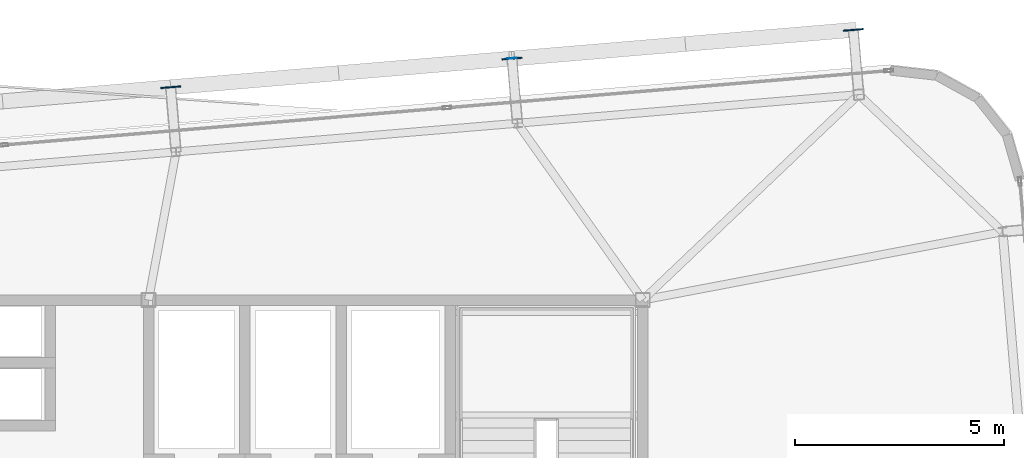
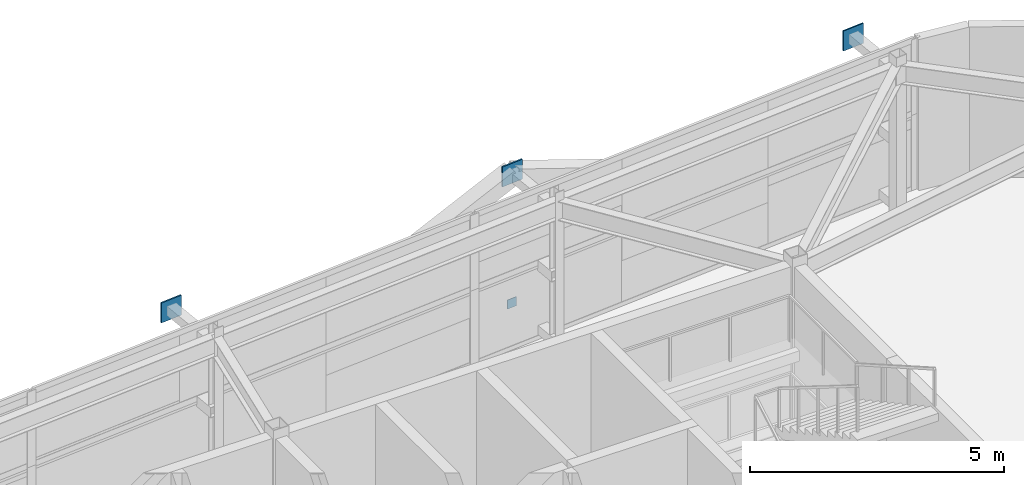
# One storey, part 31 of 38: 4 plates.
"""IFC4 building model written with IfcOpenShell, lengths in metres."""

from ifc_helpers import new_model, si_unit, direction, frame, origin, origin_2d, place, context, subcontext, project, spatial, rectangle, extrude, source, transform, mapped, material, layer, layer_set, type_object, element, save


model = new_model("IFC4")

# Units and contexts
model_context = context("Model", 3, precision=1e-05, world=origin(), true_north=direction((0.0, 1.0)))
body_context = subcontext(model_context, "Body", "Model", "MODEL_VIEW")
ifc_project = project(units=[si_unit("LENGTHUNIT", "METRE"), si_unit("AREAUNIT", "SQUARE_METRE"), si_unit("VOLUMEUNIT", "CUBIC_METRE"), si_unit("PLANEANGLEUNIT", "RADIAN"), si_unit("MASSUNIT", "GRAM", prefix="KILO")], contexts=[model_context])

# Site, building, storey
site_placement = place(None, origin())
site = spatial("IfcSite", under=ifc_project, at=site_placement, CompositionType="ELEMENT")
building_placement = place(site_placement, origin())
building = spatial("IfcBuilding", under=site, at=building_placement, Name="Taldren Reach Tower", CompositionType="ELEMENT")
storey_placement = place(building_placement, frame((0.0, 0.0, 168.699951171875)))
storey = spatial("IfcBuildingStorey", under=building, at=storey_placement, Name="L51", CompositionType="ELEMENT", Elevation=168.699951171875)

# Plates
ifc_material = material(Name="Steel Gr 450 (C450L0)", Category="steel")
ifc_layer_1 = layer(ifc_material, 0.031982421875)
ifc_layer_set_1 = layer_set([ifc_layer_1], Name="Steel Gr 450 (C450L0)")
plate_type_1 = type_object("IfcPlateType", Name="PL-GUSSET-32", PredefinedType="SHEET", material=ifc_layer_set_1)
shared_shape_1 = source(origin(), body_context, "Body", "SweptSolid", [
    extrude(rectangle(XDim=0.47998046875, YDim=0.031982421875, at=origin_2d()), origin(), (0.0, 0.0, 1.0), 0.47998046875),
])
for number, where, z_axis, x_axis, name in (
    (1, (39.72802734375, 37.08154296875, 3.110107421875), (0.0, 0.0, 1.0), (0.99649285925, 0.083677843332, 0.0), "Exoskeleton star-node gusset plate B4-N4 L51"),
    (2, (47.87939453125, 37.76611328125, 3.110107421875), (0.0, 0.0, 1.0), (0.99649285925, 0.083677843332, 0.0), "Exoskeleton star-node gusset plate B4-N5 L51"),
    (3, (56.03076171875, 38.450439453125, 3.110107421875), (0.0, 0.0, 1.0), (0.99649285925, 0.083677843332, 0.0), "Exoskeleton star-node gusset plate B4-N6 L51"),
):
    element("IfcPlate", number, at=place(storey_placement, frame(where, z_axis=z_axis, x_axis=x_axis)), inside=storey, type_object=plate_type_1, Name=name, PredefinedType="SHEET", context=body_context, shape_type="MappedRepresentation", body=[
        mapped(shared_shape_1, transform((0.0, 0.0, 0.0), scale=1.0)),
    ])
ifc_layer_2 = layer(ifc_material, 0.011962890625)
ifc_layer_set_2 = layer_set([ifc_layer_2], Name="Steel Gr 450 (C450L0)")
plate_type_2 = type_object("IfcPlateType", Name="PL-CAP-220", PredefinedType="SHEET", material=ifc_layer_set_2)
shared_shape_2 = source(origin(), body_context, "Body", "SweptSolid", [
    extrude(rectangle(XDim=0.219970703125, YDim=0.011962890625, at=origin_2d()), origin(), (0.0, 0.0, 1.0), 0.219970703125),
])
plate_placement = place(storey_placement, frame((47.87890625, 37.77197265625, 0.10986328125), z_axis=(0.0, 0.0, 1.0), x_axis=(0.99649285925, 0.083677843332, 0.0)))
element("IfcPlate", 4, at=plate_placement, inside=storey, type_object=plate_type_2, Name="Tie strut end cap plate B4-N5 L51", PredefinedType="SHEET", context=body_context, shape_type="MappedRepresentation", body=[
    mapped(shared_shape_2, transform((0.0, 0.0, 0.0), scale=1.0)),
])

save(model, "model.ifc")
